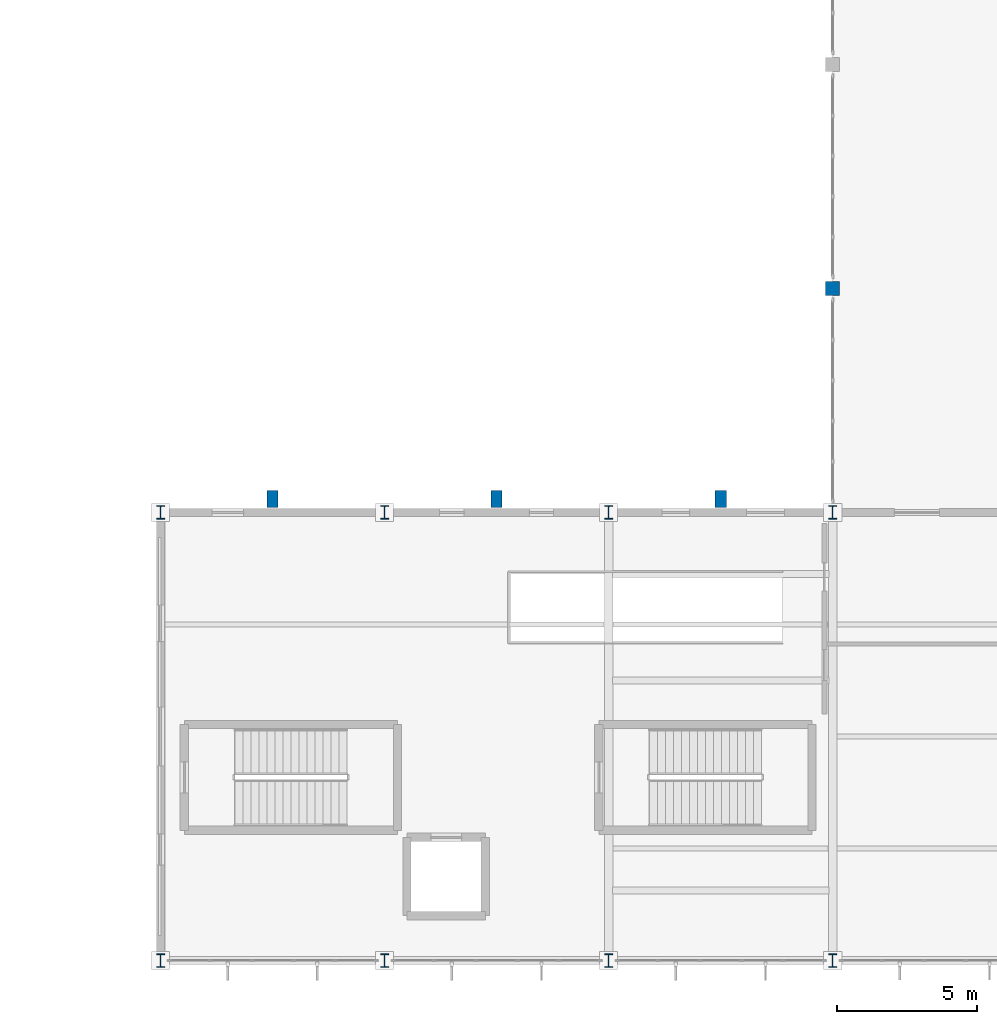
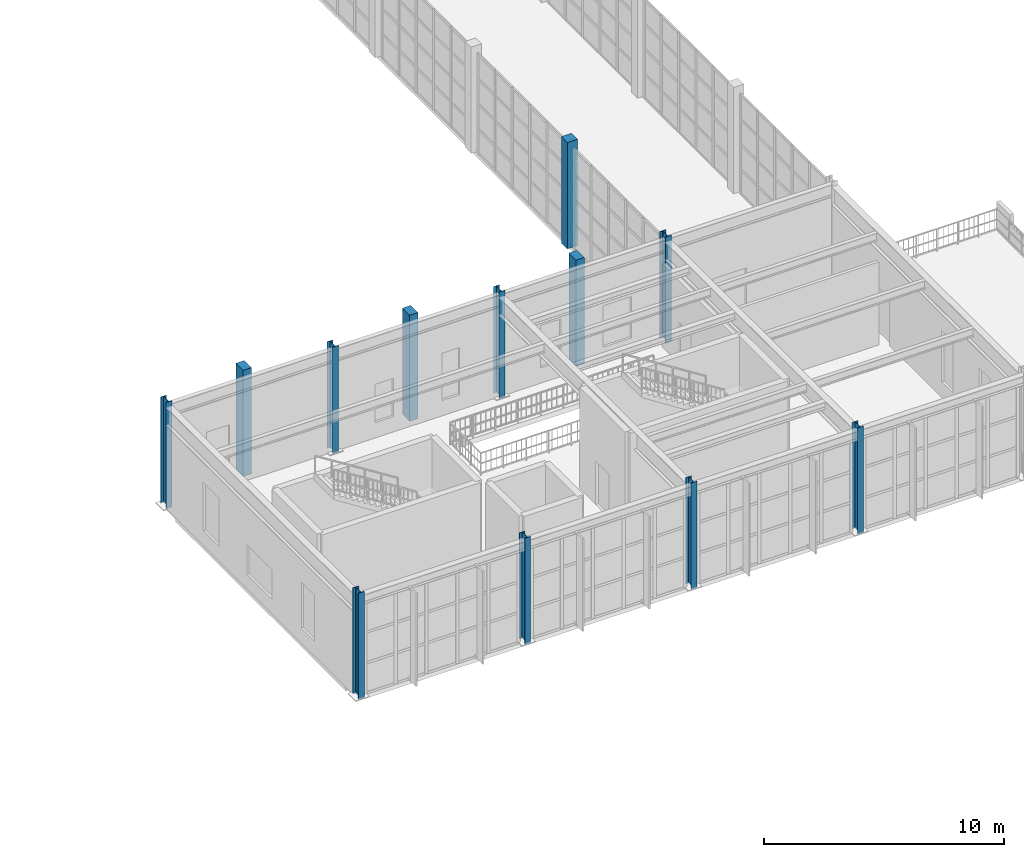
# One storey, part 3 of 82: 12 columns.
"""IFC4 building model written with IfcOpenShell, lengths in metres."""

from ifc_helpers import new_model, si_unit, direction, frame, origin, origin_2d, place, context, subcontext, project, spatial, rectangle, i_section, extrude, material, material_profile, profile_set, type_object, element, save


model = new_model("IFC4")

# Units and contexts
model_context = context("Model", 3, precision=1e-05, world=origin(), true_north=direction((0.0, 1.0)))
body_context = subcontext(model_context, "Body", "Model", "MODEL_VIEW")
ifc_project = project(units=[si_unit("LENGTHUNIT", "METRE"), si_unit("AREAUNIT", "SQUARE_METRE"), si_unit("VOLUMEUNIT", "CUBIC_METRE"), si_unit("PLANEANGLEUNIT", "RADIAN"), si_unit("MASSUNIT", "GRAM", prefix="KILO")], contexts=[model_context])

# Site, building, storey
site_placement = place(None, origin())
site = spatial("IfcSite", under=ifc_project, at=site_placement, CompositionType="ELEMENT")
building_placement = place(site_placement, origin())
building = spatial("IfcBuilding", under=site, at=building_placement, Name="Serraluz Foothill Cableway Terminal", CompositionType="ELEMENT")
storey_placement = place(building_placement, frame((0.0, 0.0, 9.60009765625)))
storey = spatial("IfcBuildingStorey", under=building, at=storey_placement, Name="L02", CompositionType="ELEMENT", Elevation=9.60009765625)

# Columns
ifc_material_1 = material(Name="Concrete C35/45 (f'c 35 MPa)", Category="concrete")
ifc_material_profile_1 = material_profile(ifc_material_1, rectangle(XDim=0.5, YDim=0.5, at=origin_2d()), Name="RC 500x500")
ifc_profile_set_1 = profile_set([ifc_material_profile_1], Name="Concrete C35/45 (f'c 35 MPa)")
column_type_1 = type_object("IfcColumnType", Name="TYP-COL-RC500", PredefinedType="COLUMN", material=ifc_profile_set_1)
column_placement = place(storey_placement, frame((120.0, 24.0, 0.0), z_axis=(0.0, 0.0, 1.0), x_axis=(1.0, 0.0, 0.0)))
element("IfcColumn", 1, at=column_placement, inside=storey, type_object=column_type_1, Name="Column COL-V3-CL-120-24-L02", PredefinedType="COLUMN", context=body_context, shape_type="SweptSolid", body=[
    extrude(rectangle(XDim=0.5, YDim=0.5, at=origin_2d()), origin(), (0.0, 0.0, 1.0), 5.39990234375),
])
ifc_material_2 = material(Name="Steel ASTM A992 Grade 50", Category="steel")
ifc_material_profile_2 = material_profile(ifc_material_2, i_section(OverallWidth=0.282958984375, OverallDepth=0.471923828125, WebThickness=0.013671875, FlangeThickness=0.022216796875, FilletRadius=0.014892578125, at=origin_2d()), Name="W18X97")
ifc_profile_set_2 = profile_set([ifc_material_profile_2], Name="Steel ASTM A992 Grade 50")
column_type_2 = type_object("IfcColumnType", Name="TYP-COL-W18X97", PredefinedType="COLUMN", material=ifc_profile_set_2)
for number, where, z_axis, x_axis, name in (
    (2, (96.0, 0.0, 0.0), (0.0, 0.0, 1.0), (1.0, 0.0, 0.0), "Column COL-V3-96-0-L02"),
    (3, (96.0, 16.0, 0.0), (0.0, 0.0, 1.0), (1.0, 0.0, 0.0), "Column COL-V3-96-16-L02"),
    (4, (104.0, 0.0, 0.0), (0.0, 0.0, 1.0), (1.0, 0.0, 0.0), "Column COL-V3-104-0-L02"),
    (5, (104.0, 16.0, 0.0), (0.0, 0.0, 1.0), (1.0, 0.0, 0.0), "Column COL-V3-104-16-L02"),
    (6, (112.0, 0.0, 0.0), (0.0, 0.0, 1.0), (1.0, 0.0, 0.0), "Column COL-V3-112-0-L02"),
    (7, (112.0, 16.0, 0.0), (0.0, 0.0, 1.0), (1.0, 0.0, 0.0), "Column COL-V3-112-16-L02"),
    (8, (120.0, 0.0, 0.0), (0.0, 0.0, 1.0), (1.0, 0.0, 0.0), "Column COL-V3-120-0-L02"),
    (9, (120.0, 16.0, 0.0), (0.0, 0.0, 1.0), (1.0, 0.0, 0.0), "Column COL-V3-120-16-L02"),
):
    element("IfcColumn", number, at=place(storey_placement, frame(where, z_axis=z_axis, x_axis=x_axis)), inside=storey, type_object=column_type_2, Name=name, PredefinedType="COLUMN", context=body_context, shape_type="SweptSolid", body=[
        extrude(i_section(OverallWidth=0.282958984375, OverallDepth=0.471923828125, WebThickness=0.013671875, FlangeThickness=0.022216796875, FilletRadius=0.014892578125, at=origin_2d()), origin(), (0.0, 0.0, 1.0), 5.39990234375),
    ])
ifc_material_3 = material(Name="Fired clay masonry brick (f'm 12 MPa)", Category="masonry")
ifc_material_profile_3 = material_profile(ifc_material_3, rectangle(XDim=0.39990234375, YDim=0.60009765625, at=origin_2d()), Name="PIL 400x600")
ifc_profile_set_3 = profile_set([ifc_material_profile_3], Name="Fired clay masonry brick (f'm 12 MPa)")
column_type_3 = type_object("IfcColumnType", Name="TYP-PIL-400X600", PredefinedType="PILASTER", material=ifc_profile_set_3)
for number, where, z_axis, x_axis, name in (
    (10, (100.0, 16.47998046875, 0.0), (0.0, 0.0, 1.0), (1.0, 0.0, 0.0), "Brick Pilaster Pier PL-18 L02"),
    (11, (108.0, 16.47998046875, 0.0), (0.0, 0.0, 1.0), (1.0, 0.0, 0.0), "Brick Pilaster Pier PL-19 L02"),
    (12, (116.0, 16.47998046875, 0.0), (0.0, 0.0, 1.0), (1.0, 0.0, 0.0), "Brick Pilaster Pier PL-20 L02"),
):
    element("IfcColumn", number, at=place(storey_placement, frame(where, z_axis=z_axis, x_axis=x_axis)), inside=storey, type_object=column_type_3, Name=name, PredefinedType="PILASTER", context=body_context, shape_type="SweptSolid", body=[
        extrude(rectangle(XDim=0.39990234375, YDim=0.60009765625, at=origin_2d()), origin(), (0.0, 0.0, 1.0), 5.39990234375),
    ])

save(model, "model.ifc")
